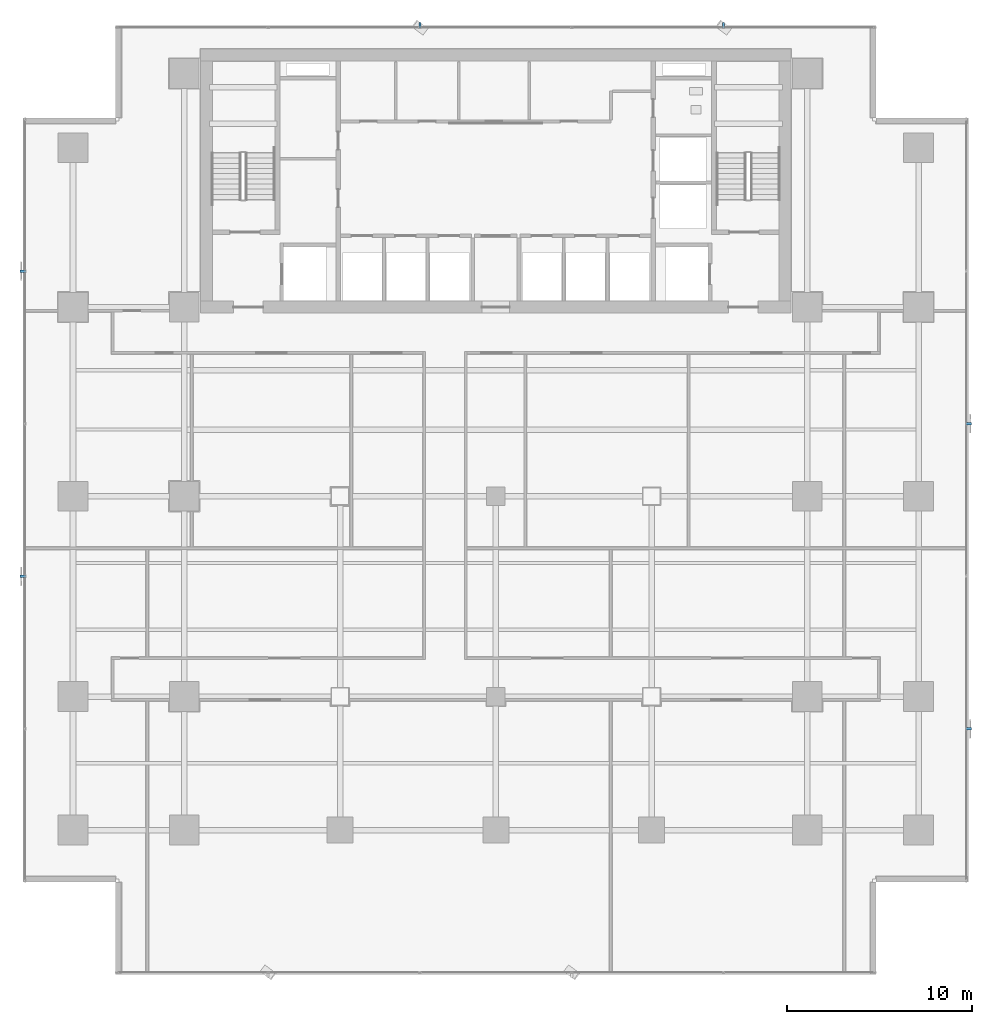
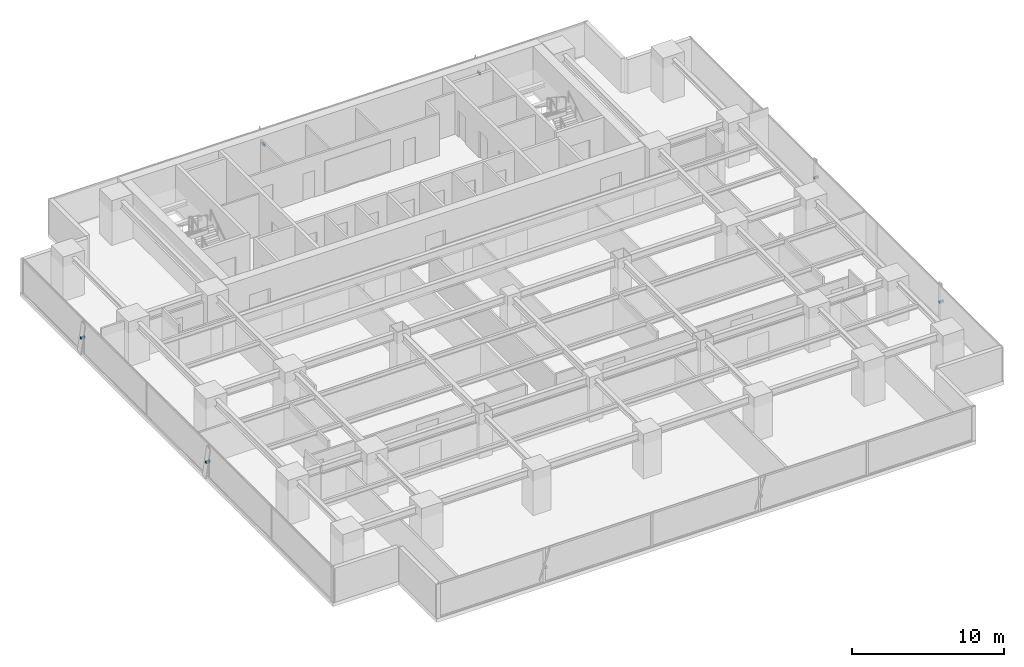
# One storey, part 31 of 36: 6 discrete accessories.
"""IFC4 building model written with IfcOpenShell, lengths in metres."""

from ifc_helpers import new_model, si_unit, direction, frame, origin, origin_2d, place, context, subcontext, project, spatial, rectangle, extrude, source, transform, mapped, material, material_profile, profile_set, type_object, element, save


model = new_model("IFC4")

# Units and contexts
model_context = context("Model", 3, precision=1e-05, world=origin(), true_north=direction((0.0, 1.0)))
body_context = subcontext(model_context, "Body", "Model", "MODEL_VIEW")
ifc_project = project(units=[si_unit("LENGTHUNIT", "METRE"), si_unit("AREAUNIT", "SQUARE_METRE"), si_unit("VOLUMEUNIT", "CUBIC_METRE"), si_unit("PLANEANGLEUNIT", "RADIAN"), si_unit("MASSUNIT", "GRAM", prefix="KILO")], contexts=[model_context])

# Site, building, storey
site_placement = place(None, origin())
site = spatial("IfcSite", under=ifc_project, at=site_placement, CompositionType="ELEMENT")
building_placement = place(site_placement, origin())
building = spatial("IfcBuilding", under=site, at=building_placement, Name="Sumidabori Civic Tower", CompositionType="ELEMENT")
storey_placement = place(building_placement, frame((0.0, 0.0, 77.60009765625)))
storey = spatial("IfcBuildingStorey", under=building, at=storey_placement, Name="L19", CompositionType="ELEMENT", Elevation=77.60009765625)

# Discrete accessories
ifc_material = material(Name="Stainless Steel Hairline Finish", Category="steel")
ifc_material_profile = material_profile(ifc_material, rectangle(XDim=0.1201171875, YDim=0.179931640625, at=origin_2d()), Name="STEEL BRACKET 180x120")
ifc_profile_set = profile_set([ifc_material_profile], Name="Stainless Steel Hairline Finish")
discrete_accessory_type = type_object("IfcDiscreteAccessoryType", Name="AC-BRK-180", PredefinedType="BRACKET", material=ifc_profile_set)
shared_shape_1 = source(origin(), body_context, "Body", "SweptSolid", [
    extrude(rectangle(XDim=0.1201171875, YDim=0.179931640625, at=origin_2d()), origin(), (0.0, 0.0, 1.0), 0.329833984375),
])
for number, where, z_axis, x_axis, name in (
    (1, (25.330078125, -12.5419921875, 1.35986328125), (1.0, 0.0, 0.0), (0.0, 1.0, 0.0), "Bronze Fin Fixing Bracket L19-01"),
    (2, (25.330078125, 3.9140625, 1.35986328125), (1.0, 0.0, 0.0), (0.0, 1.0, 0.0), "Bronze Fin Fixing Bracket L19-03"),
    (3, (-25.330078125, 12.14208984375, 1.35986328125), (-1.0, 0.0, 0.0), (0.0, -1.0, 0.0), "Bronze Fin Fixing Bracket L19-01"),
    (4, (-25.330078125, -4.31396484375, 1.35986328125), (-1.0, 0.0, 0.0), (0.0, -1.0, 0.0), "Bronze Fin Fixing Bracket L19-03"),
):
    element("IfcDiscreteAccessory", number, at=place(storey_placement, frame(where, z_axis=z_axis, x_axis=x_axis)), inside=storey, type_object=discrete_accessory_type, Name=name, PredefinedType="BRACKET", context=body_context, shape_type="MappedRepresentation", body=[
        mapped(shared_shape_1, transform((0.0, 0.0, 0.0), x_axis=(1.0, 0.0, 0.0), y_axis=(0.0, 1.0, 0.0), z_axis=(0.0, 0.0, 1.0), scale=1.0)),
    ])
shared_shape_2 = source(origin(), body_context, "Body", "SweptSolid", [
    extrude(rectangle(XDim=0.1201171875, YDim=0.179931640625, at=origin_2d()), origin(), (0.0, 0.0, 1.0), 0.330078125),
])
for number, where, z_axis, x_axis, name in (
    (5, (12.281982421875, 25.22998046875, 1.35986328125), (0.0, 1.0, 0.0), (-1.0, 0.0, 0.0), "Bronze Fin Fixing Bracket L19-01"),
    (6, (-4.093994140625, 25.22998046875, 1.35986328125), (0.0, 1.0, 0.0), (-1.0, 0.0, 0.0), "Bronze Fin Fixing Bracket L19-03"),
):
    element("IfcDiscreteAccessory", number, at=place(storey_placement, frame(where, z_axis=z_axis, x_axis=x_axis)), inside=storey, type_object=discrete_accessory_type, Name=name, PredefinedType="BRACKET", context=body_context, shape_type="MappedRepresentation", body=[
        mapped(shared_shape_2, transform((0.0, 0.0, 0.0), x_axis=(1.0, 0.0, 0.0), y_axis=(0.0, 1.0, 0.0), z_axis=(0.0, 0.0, 1.0), scale=1.0)),
    ])

save(model, "model.ifc")
